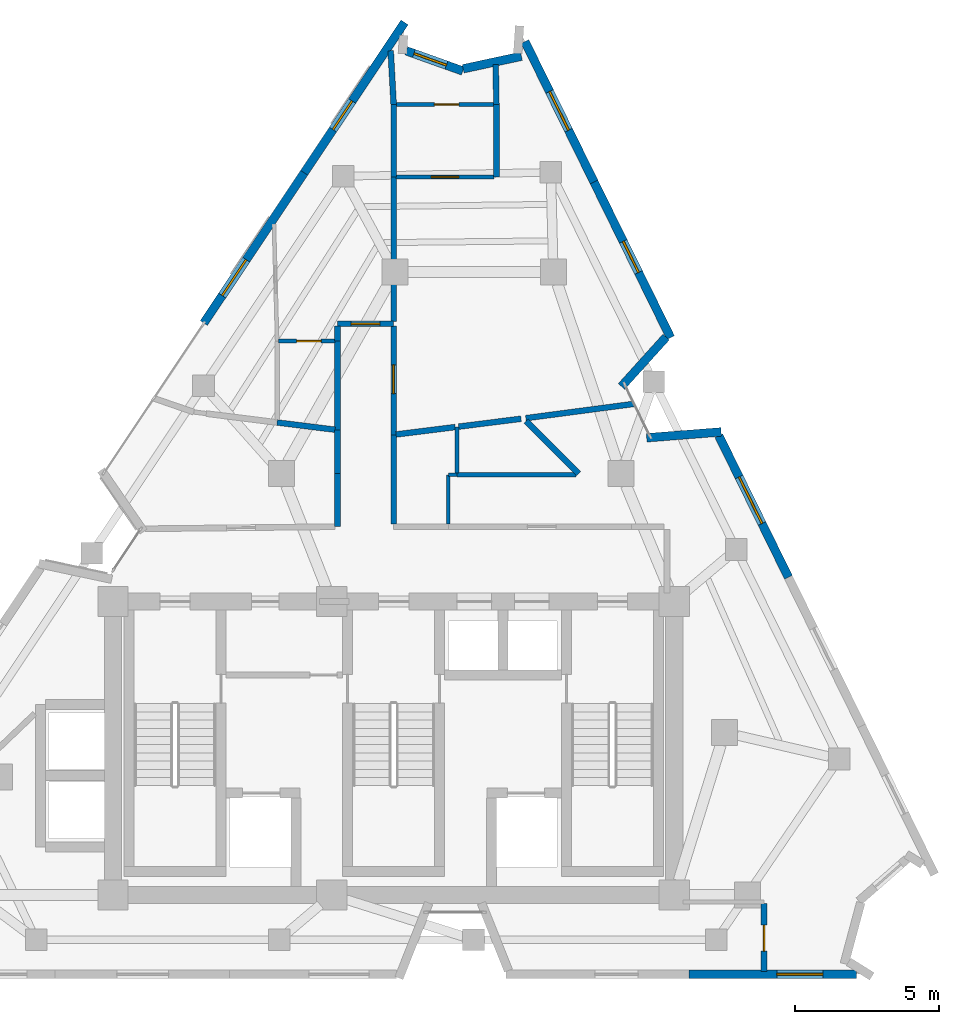
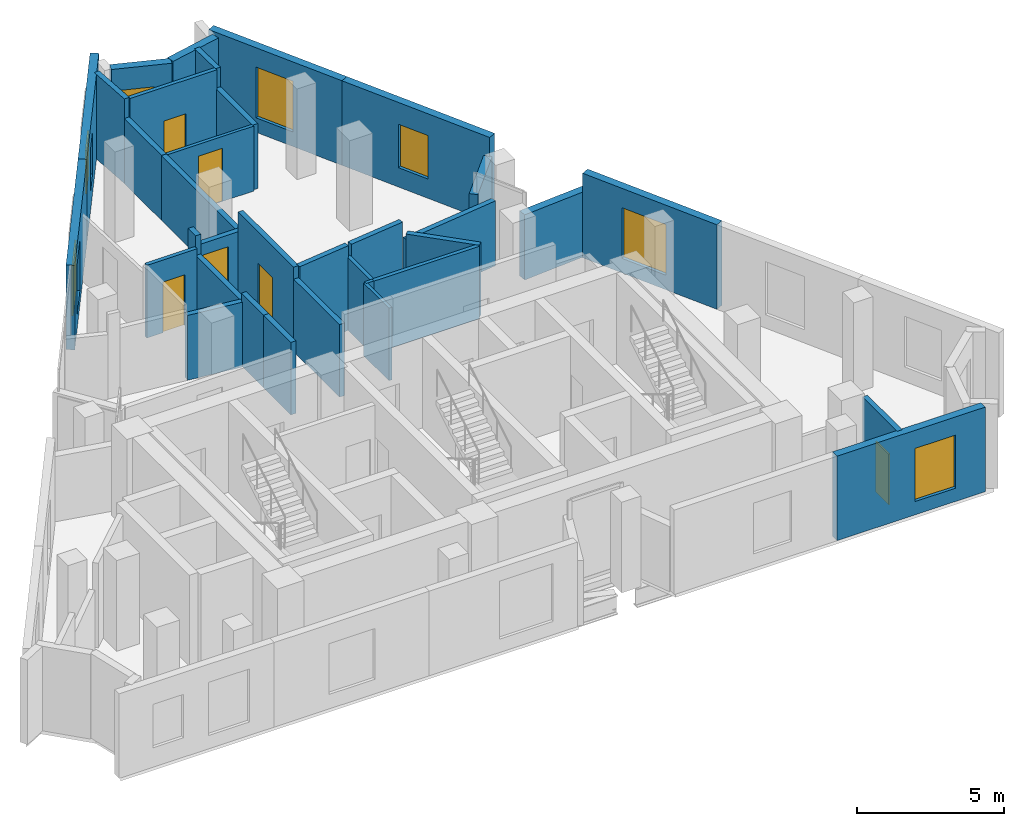
# One storey, part 6 of 8: 35 walls, 7 windows, 6 doors, 13 openings.
"""IFC4 building model written with IfcOpenShell, lengths in metres."""

from ifc_helpers import new_model, si_unit, direction, frame, frame_2d, origin, place, context, subcontext, project, spatial, rectangle, extrude, material, layer, layer_set, type_object, element, fill, save


model = new_model("IFC4")

# Units and contexts
model_context = context("Model", 3, precision=1e-05, world=origin(), true_north=direction((0.0, 1.0)))
body_context = subcontext(model_context, "Body", "Model", "MODEL_VIEW")
ifc_project = project(units=[si_unit("LENGTHUNIT", "METRE"), si_unit("AREAUNIT", "SQUARE_METRE"), si_unit("VOLUMEUNIT", "CUBIC_METRE"), si_unit("PLANEANGLEUNIT", "RADIAN"), si_unit("MASSUNIT", "GRAM", prefix="KILO")], contexts=[model_context])

# Site, building, storey
site_placement = place(None, origin())
site = spatial("IfcSite", under=ifc_project, at=site_placement, CompositionType="ELEMENT")
building_placement = place(site_placement, origin())
building = spatial("IfcBuilding", under=site, at=building_placement, Name="Almagre Mirador Tower", CompositionType="ELEMENT")
storey_placement = place(building_placement, frame((0.0, 0.0, 282.0)))
storey = spatial("IfcBuildingStorey", under=building, at=storey_placement, Name="L73", CompositionType="ELEMENT", Elevation=282.0)

# Wall, opening, window
ifc_material_1 = material(Name="Precast concrete C50/60", Category="concrete")
ifc_layer_1 = layer(ifc_material_1, 0.300048828125)
ifc_layer_set_1 = layer_set([ifc_layer_1], Name="Precast concrete C50/60")
wall_type_1 = type_object("IfcWallType", Name="WAL-EXT-300", PredefinedType="SOLIDWALL", material=ifc_layer_set_1)
wall_1_placement = place(storey_placement, frame((30.70361328125, 24.425048828125, 0.0), z_axis=(0.0, 0.0, 1.0), x_axis=(0.555274120739, 0.831667391953, 0.0)))
wall_1 = element("IfcWall", 1, at=wall_1_placement, inside=storey, type_object=wall_type_1, Name="L73 expressed almagre precast frame wall 03", PredefinedType="SOLIDWALL", context=body_context, shape_type="SweptSolid", body=[
    extrude(rectangle(XDim=6.28125, YDim=0.300048828125, at=frame_2d((3.140625, 0.0))), origin(), (0.0, 0.0, 1.0), 3.5),
])
opening_1_placement = place(wall_1_placement, frame((1.14990234375, 0.0, 0.60009765625)))
opening_1 = element("IfcOpeningElement", 2, at=opening_1_placement, cuts=wall_1, Name="Opening WN-03", PredefinedType="OPENING", context=body_context, shape_type="SweptSolid", body=[
    extrude(rectangle(XDim=1.5, YDim=2.10009765625, at=frame_2d((0.75, 1.050048828125))), frame((0.0, 0.159902, 0.0), z_axis=(0.0, -1.0, 0.0), x_axis=(1.0, 0.0, 0.0)), (0.0, 0.0, 1.0), 0.320049),
])
ifc_material_2 = material(Name="Dark solar-control laminated hurricane glass", Category="glass")
window_type_1 = type_object("IfcWindowType", Name="WIN-1500X2100", PartitioningType="DOUBLE_PANEL_VERTICAL", PredefinedType="WINDOW", material=ifc_material_2)
window_1_placement = place(opening_1_placement, origin())
window_1 = element("IfcWindow", 3, at=window_1_placement, inside=storey, type_object=window_type_1, Name="L73 recessed hurricane window L73-UH-KT", OverallHeight=2.10009765625, OverallWidth=1.5, PartitioningType="SINGLE_PANEL", PredefinedType="WINDOW", context=body_context, shape_type="SweptSolid", body=[
    extrude(rectangle(XDim=1.5, YDim=2.10009765625, at=frame_2d((0.75, 1.050048828125))), frame((0.0, 0.030029296875, 0.0), z_axis=(0.0, -1.0, 0.0), x_axis=(1.0, 0.0, 0.0)), (0.0, 0.0, 1.0), 0.06005859375),
])
fill(opening_1, window_1)

wall_2_placement = place(storey_placement, frame((34.19140625, 29.64892578125, 0.0), z_axis=(0.0, 0.0, 1.0), x_axis=(0.555229286711, 0.831697324259, 0.0)))
wall_2 = element("IfcWall", 4, at=wall_2_placement, inside=storey, type_object=wall_type_1, Name="L73 expressed almagre precast frame wall 04", PredefinedType="SOLIDWALL", context=body_context, shape_type="SweptSolid", body=[
    extrude(rectangle(XDim=6.28125, YDim=0.300048828125, at=frame_2d((3.140625, 0.0))), origin(), (0.0, 0.0, 1.0), 3.5),
])
opening_2_placement = place(wall_2_placement, frame((1.800048828125, 0.0, 0.800048828125)))
opening_2 = element("IfcOpeningElement", 5, at=opening_2_placement, cuts=wall_2, Name="Opening WN-04", PredefinedType="OPENING", context=body_context, shape_type="SweptSolid", body=[
    extrude(rectangle(XDim=1.199951171875, YDim=1.800048828125, at=frame_2d((0.60009765625, 0.89990234375))), frame((0.0, 0.159902, 0.0), z_axis=(0.0, -1.0, 0.0), x_axis=(1.0, 0.0, 0.0)), (0.0, 0.0, 1.0), 0.320049),
])
ifc_material_3 = material(Name="Dark solar-control laminated hurricane glass", Category="glass")
window_type_2 = type_object("IfcWindowType", Name="WIN-1200X1800", PartitioningType="SINGLE_PANEL", PredefinedType="WINDOW", material=ifc_material_3)
window_2_placement = place(opening_2_placement, origin())
window_2 = element("IfcWindow", 6, at=window_2_placement, inside=storey, type_object=window_type_2, Name="L73 recessed hurricane window L73-UH-ST", OverallHeight=1.800048828125, OverallWidth=1.199951171875, PartitioningType="SINGLE_PANEL", PredefinedType="WINDOW", context=body_context, shape_type="SweptSolid", body=[
    extrude(rectangle(XDim=1.199951171875, YDim=1.800048828125, at=frame_2d((0.60009765625, 0.89990234375))), frame((0.0, 0.030029296875, 0.0), z_axis=(0.0, -1.0, 0.0), x_axis=(1.0, 0.0, 0.0)), (0.0, 0.0, 1.0), 0.06005859375),
])
fill(opening_2, window_2)

wall_3_placement = place(storey_placement, frame((37.73681640625, 33.88720703125, 0.0), z_axis=(0.0, 0.0, 1.0), x_axis=(0.941665242227, -0.336550994028, 0.0)))
wall_3 = element("IfcWall", 7, at=wall_3_placement, inside=storey, type_object=wall_type_1, Name="L73 expressed almagre precast frame wall 06", PredefinedType="SOLIDWALL", context=body_context, shape_type="SweptSolid", body=[
    extrude(rectangle(XDim=2.08984375, YDim=0.300048828125, at=frame_2d((1.044921875, 0.0))), origin(), (0.0, 0.0, 1.0), 3.5),
])
opening_3_placement = place(wall_3_placement, frame((0.282958984375, 0.0, 0.800048828125)))
opening_3 = element("IfcOpeningElement", 8, at=opening_3_placement, cuts=wall_3, Name="Opening WN-04", PredefinedType="OPENING", context=body_context, shape_type="SweptSolid", body=[
    extrude(rectangle(XDim=1.199951171875, YDim=1.800048828125, at=frame_2d((0.60009765625, 0.89990234375))), frame((0.0, 0.159902, 0.0), z_axis=(0.0, -1.0, 0.0), x_axis=(1.0, 0.0, 0.0)), (0.0, 0.0, 1.0), 0.320049),
])
window_3_placement = place(opening_3_placement, origin())
window_3 = element("IfcWindow", 9, at=window_3_placement, inside=storey, type_object=window_type_2, Name="L73 recessed hurricane window L73-UK-BT", OverallHeight=1.800048828125, OverallWidth=1.199951171875, PartitioningType="SINGLE_PANEL", PredefinedType="WINDOW", context=body_context, shape_type="SweptSolid", body=[
    extrude(rectangle(XDim=1.199951171875, YDim=1.800048828125, at=frame_2d((0.60009765625, 0.89990234375))), frame((0.0, 0.030029296875, 0.0), z_axis=(0.0, -1.0, 0.0), x_axis=(1.0, 0.0, 0.0)), (0.0, 0.0, 1.0), 0.06005859375),
])
fill(opening_3, window_3)

# Wall
wall_4_placement = place(storey_placement, frame((39.714599609375, 33.261474609375, 0.0), z_axis=(0.0, 0.0, 1.0), x_axis=(0.977601927603, 0.210462517201, 0.0)))
element("IfcWall", 10, at=wall_4_placement, inside=storey, type_object=wall_type_1, Name="L73 expressed almagre precast frame wall 07", PredefinedType="SOLIDWALL", context=body_context, shape_type="SweptSolid", body=[
    extrude(rectangle(XDim=2.07177734375, YDim=0.300048828125, at=frame_2d((1.035888671875, 0.0))), origin(), (0.0, 0.0, 1.0), 3.5),
])

# Wall, opening, window
wall_5_placement = place(storey_placement, frame((41.863525390625, 34.207275390625, 0.0), z_axis=(0.0, 0.0, 1.0), x_axis=(0.441278173843, -0.89737036573, 0.0)))
wall_5 = element("IfcWall", 11, at=wall_5_placement, inside=storey, type_object=wall_type_1, Name="L73 expressed almagre precast frame wall 09", PredefinedType="SOLIDWALL", context=body_context, shape_type="SweptSolid", body=[
    extrude(rectangle(XDim=5.4384765625, YDim=0.300048828125, at=frame_2d((2.71923828125, 0.0))), origin(), (0.0, 0.0, 1.0), 3.5),
])
opening_4_placement = place(wall_5_placement, frame((1.93505859375, 0.0, 0.60009765625)))
opening_4 = element("IfcOpeningElement", 12, at=opening_4_placement, cuts=wall_5, Name="Opening WN-03", PredefinedType="OPENING", context=body_context, shape_type="SweptSolid", body=[
    extrude(rectangle(XDim=1.5, YDim=2.10009765625, at=frame_2d((0.75, 1.050048828125))), frame((0.0, 0.159902, 0.0), z_axis=(0.0, -1.0, 0.0), x_axis=(1.0, 0.0, 0.0)), (0.0, 0.0, 1.0), 0.320049),
])
window_4_placement = place(opening_4_placement, origin())
window_4 = element("IfcWindow", 13, at=window_4_placement, inside=storey, type_object=window_type_1, Name="L73 recessed hurricane window L73-RST-J", OverallHeight=2.10009765625, OverallWidth=1.5, PartitioningType="SINGLE_PANEL", PredefinedType="WINDOW", context=body_context, shape_type="SweptSolid", body=[
    extrude(rectangle(XDim=1.5, YDim=2.10009765625, at=frame_2d((0.75, 1.050048828125))), frame((0.0, 0.030029296875, 0.0), z_axis=(0.0, -1.0, 0.0), x_axis=(1.0, 0.0, 0.0)), (0.0, 0.0, 1.0), 0.06005859375),
])
fill(opening_4, window_4)

wall_6_placement = place(storey_placement, frame((44.263427734375, 29.326904296875, 0.0), z_axis=(0.0, 0.0, 1.0), x_axis=(0.441323397794, -0.897348125623, 0.0)))
wall_6 = element("IfcWall", 14, at=wall_6_placement, inside=storey, type_object=wall_type_1, Name="L73 expressed almagre precast frame wall 10", PredefinedType="SOLIDWALL", context=body_context, shape_type="SweptSolid", body=[
    extrude(rectangle(XDim=6.0283203125, YDim=0.300048828125, at=frame_2d((3.01416015625, 0.0))), origin(), (0.0, 0.0, 1.0), 3.5),
])
opening_5_placement = place(wall_6_placement, frame((2.300048828125, 0.0, 0.800048828125)))
opening_5 = element("IfcOpeningElement", 15, at=opening_5_placement, cuts=wall_6, Name="Opening WN-04", PredefinedType="OPENING", context=body_context, shape_type="SweptSolid", body=[
    extrude(rectangle(XDim=1.199951171875, YDim=1.800048828125, at=frame_2d((0.60009765625, 0.89990234375))), frame((0.0, 0.159902, 0.0), z_axis=(0.0, -1.0, 0.0), x_axis=(1.0, 0.0, 0.0)), (0.0, 0.0, 1.0), 0.320049),
])
window_5_placement = place(opening_5_placement, origin())
window_5 = element("IfcWindow", 16, at=window_5_placement, inside=storey, type_object=window_type_2, Name="L73 recessed hurricane window L73-RST-J", OverallHeight=1.800048828125, OverallWidth=1.199951171875, PartitioningType="SINGLE_PANEL", PredefinedType="WINDOW", context=body_context, shape_type="SweptSolid", body=[
    extrude(rectangle(XDim=1.199951171875, YDim=1.800048828125, at=frame_2d((0.60009765625, 0.89990234375))), frame((0.0, 0.030029296875, 0.0), z_axis=(0.0, -1.0, 0.0), x_axis=(1.0, 0.0, 0.0)), (0.0, 0.0, 1.0), 0.06005859375),
])
fill(opening_5, window_5)

# Walls
wall_7_placement = place(storey_placement, frame((46.76806640625, 23.939208984375, 0.0), z_axis=(0.0, 0.0, 1.0), x_axis=(-0.670764114694, -0.741670750697, 0.0)))
element("IfcWall", 17, at=wall_7_placement, inside=storey, type_object=wall_type_1, Name="L73 expressed almagre precast frame wall 11", PredefinedType="SOLIDWALL", context=body_context, shape_type="SweptSolid", body=[
    extrude(rectangle(XDim=2.313720703125, YDim=0.300048828125, at=frame_2d((1.15673828125, 0.0))), origin(), (0.0, 0.0, 1.0), 2.696044921875),
])
wall_8_placement = place(storey_placement, frame((46.09228515625, 20.43994140625, 0.0), z_axis=(0.0, 0.0, 1.0), x_axis=(0.996900868101, 0.078668031502, 0.0)))
element("IfcWall", 18, at=wall_8_placement, inside=storey, type_object=wall_type_1, Name="L73 expressed almagre precast frame wall 12", PredefinedType="SOLIDWALL", context=body_context, shape_type="SweptSolid", body=[
    extrude(rectangle(XDim=2.594482421875, YDim=0.300048828125, at=frame_2d((1.29736328125, 0.0))), origin(), (0.0, 0.0, 1.0), 2.696044921875),
])

# Wall, opening, window
wall_9_placement = place(storey_placement, frame((48.5986328125, 20.51171875, 0.0), z_axis=(0.0, 0.0, 1.0), x_axis=(0.441270260199, -0.897374257188, 0.0)))
wall_9 = element("IfcWall", 19, at=wall_9_placement, inside=storey, type_object=wall_type_1, Name="L73 expressed almagre precast frame wall 13", PredefinedType="SOLIDWALL", context=body_context, shape_type="SweptSolid", body=[
    extrude(rectangle(XDim=5.480712890625, YDim=0.300048828125, at=frame_2d((2.740234375, 0.0))), origin(), (0.0, 0.0, 1.0), 3.5),
])
opening_6_placement = place(wall_9_placement, frame((1.60009765625, 0.0, 0.60009765625)))
opening_6 = element("IfcOpeningElement", 20, at=opening_6_placement, cuts=wall_9, Name="Opening WN-01", PredefinedType="OPENING", context=body_context, shape_type="SweptSolid", body=[
    extrude(rectangle(XDim=1.800048828125, YDim=2.10009765625, at=frame_2d((0.89990234375, 1.050048828125))), frame((0.0, 0.159902, 0.0), z_axis=(0.0, -1.0, 0.0), x_axis=(1.0, 0.0, 0.0)), (0.0, 0.0, 1.0), 0.320049),
])
ifc_material_4 = material(Name="Dark solar-control laminated hurricane glass", Category="glass")
window_type_3 = type_object("IfcWindowType", Name="WIN-1800X2100", PartitioningType="DOUBLE_PANEL_VERTICAL", PredefinedType="WINDOW", material=ifc_material_4)
window_6_placement = place(opening_6_placement, origin())
window_6 = element("IfcWindow", 21, at=window_6_placement, inside=storey, type_object=window_type_3, Name="L73 recessed hurricane window L73-UG-KT", OverallHeight=2.10009765625, OverallWidth=1.800048828125, PartitioningType="SINGLE_PANEL", PredefinedType="WINDOW", context=body_context, shape_type="SweptSolid", body=[
    extrude(rectangle(XDim=1.800048828125, YDim=2.10009765625, at=frame_2d((0.89990234375, 1.050048828125))), frame((0.0, 0.030029296875, 0.0), z_axis=(0.0, -1.0, 0.0), x_axis=(1.0, 0.0, 0.0)), (0.0, 0.0, 1.0), 0.06005859375),
])
fill(opening_6, window_6)

wall_10_placement = place(storey_placement, frame((53.375, 1.800048828125, 0.0), z_axis=(0.0, 0.0, 1.0), x_axis=(-1.0, 0.0, 0.0)))
wall_10 = element("IfcWall", 22, at=wall_10_placement, inside=storey, type_object=wall_type_1, Name="L73 expressed almagre precast frame wall 20", PredefinedType="SOLIDWALL", context=body_context, shape_type="SweptSolid", body=[
    extrude(rectangle(XDim=5.806884765625, YDim=0.300048828125, at=frame_2d((2.9033203125, 0.0))), origin(), (0.0, 0.0, 1.0), 3.5),
])
opening_7_placement = place(wall_10_placement, frame((1.159912109375, 0.0, 0.550048828125)))
opening_7 = element("IfcOpeningElement", 23, at=opening_7_placement, cuts=wall_10, Name="Opening WN-06", PredefinedType="OPENING", context=body_context, shape_type="SweptSolid", body=[
    extrude(rectangle(XDim=1.60009765625, YDim=2.199951171875, at=frame_2d((0.800048828125, 1.10009765625))), frame((0.0, 0.159902, 0.0), z_axis=(0.0, -1.0, 0.0), x_axis=(1.0, 0.0, 0.0)), (0.0, 0.0, 1.0), 0.320049),
])
ifc_material_5 = material(Name="Dark solar-control laminated hurricane glass", Category="glass")
window_type_4 = type_object("IfcWindowType", Name="WIN-1600X2200", PartitioningType="DOUBLE_PANEL_VERTICAL", PredefinedType="WINDOW", material=ifc_material_5)
window_7_placement = place(opening_7_placement, origin())
window_7 = element("IfcWindow", 24, at=window_7_placement, inside=storey, type_object=window_type_4, Name="L73 recessed hurricane window L73-UC-BT", OverallHeight=2.199951171875, OverallWidth=1.60009765625, PartitioningType="SINGLE_PANEL", PredefinedType="WINDOW", context=body_context, shape_type="SweptSolid", body=[
    extrude(rectangle(XDim=1.60009765625, YDim=2.199951171875, at=frame_2d((0.800048828125, 1.10009765625))), frame((0.0, 0.030029296875, 0.0), z_axis=(0.0, -1.0, 0.0), x_axis=(1.0, 0.0, 0.0)), (0.0, 0.0, 1.0), 0.06005859375),
])
fill(opening_7, window_7)

# Walls
ifc_material_6 = material(Name="Gypsum acoustic stud partition", Category="other")
ifc_layer_2 = layer(ifc_material_6, 0.125)
ifc_layer_set_2 = layer_set([ifc_layer_2], Name="Gypsum acoustic stud partition")
wall_type_2 = type_object("IfcWallType", Name="WAL-PRT-125-UTL", PredefinedType="PARTITIONING", material=ifc_layer_set_2)
wall_11_placement = place(storey_placement, frame((39.5, 19.14990234375, 0.0), z_axis=(0.0, 0.0, 1.0), x_axis=(-1.0, 0.0, 0.0)))
element("IfcWall", 25, at=wall_11_placement, inside=storey, type_object=wall_type_2, Name="L73 interior partition 039", PredefinedType="PARTITIONING", context=body_context, shape_type="SweptSolid", body=[
    extrude(rectangle(XDim=0.300048828125, YDim=0.125, at=frame_2d((0.14990234375, 0.0))), origin(), (0.0, 0.0, 1.0), 3.0029296875),
])
wall_12_placement = place(storey_placement, frame((39.199951171875, 19.14990234375, 0.0), z_axis=(0.0, 0.0, 1.0), x_axis=(0.0, -1.0, 0.0)))
element("IfcWall", 26, at=wall_12_placement, inside=storey, type_object=wall_type_2, Name="L73 interior partition 040", PredefinedType="PARTITIONING", context=body_context, shape_type="SweptSolid", body=[
    extrude(rectangle(XDim=1.71484375, YDim=0.125, at=frame_2d((0.857421875, 0.0))), origin(), (0.0, 0.0, 1.0), 3.0029296875),
])

# Wall, opening, door
wall_13_placement = place(storey_placement, frame((40.784912109375, 29.5, 0.0), z_axis=(0.0, 0.0, 1.0), x_axis=(-1.0, 0.0, 0.0)))
wall_13 = element("IfcWall", 27, at=wall_13_placement, inside=storey, type_object=wall_type_2, Name="L73 interior partition 061", PredefinedType="PARTITIONING", context=body_context, shape_type="SweptSolid", body=[
    extrude(rectangle(XDim=3.39990234375, YDim=0.125, at=frame_2d((1.699951171875, 0.0))), origin(), (0.0, 0.0, 1.0), 2.69091796875),
])
opening_8_placement = place(wall_13_placement, frame((1.22509765625, 0.0, 0.0)))
opening_8 = element("IfcOpeningElement", 28, at=opening_8_placement, cuts=wall_13, Name="Opening UD-01", PredefinedType="OPENING", context=body_context, shape_type="SweptSolid", body=[
    extrude(rectangle(XDim=0.949951171875, YDim=2.199951171875, at=frame_2d((0.47509765625, 1.10009765625))), frame((0.0, 0.0725, 0.0), z_axis=(0.0, -1.0, 0.0), x_axis=(1.0, 0.0, 0.0)), (0.0, 0.0, 1.0), 0.145),
])
ifc_material_7 = material(Name="Solid American walnut timber", Category="wood")
door_type_1 = type_object("IfcDoorType", Name="DOR-UNR-950X2200", OperationType="NOTDEFINED", PredefinedType="DOOR", material=ifc_material_7)
door_1_placement = place(opening_8_placement, origin())
door_1 = element("IfcDoor", 29, at=door_1_placement, inside=storey, type_object=door_type_1, Name="DR-2201 L73 interior door L73-UK-ST to L73-UK-KT", OperationType="SINGLE_SWING_RIGHT", OverallHeight=2.199951171875, OverallWidth=0.949951171875, PredefinedType="DOOR", context=body_context, shape_type="SweptSolid", body=[
    extrude(rectangle(XDim=0.949951171875, YDim=2.199951171875, at=frame_2d((0.47509765625, 1.10009765625))), frame((0.0, 0.02490234375, 0.0), z_axis=(0.0, -1.0, 0.0), x_axis=(1.0, 0.0, 0.0)), (0.0, 0.0, 1.0), 0.050048828125),
])
fill(opening_8, door_1)

# Walls
ifc_material_8 = material(Name="Gypsum acoustic stud partition", Category="other")
ifc_layer_3 = layer(ifc_material_8, 0.14990234375)
ifc_layer_set_3 = layer_set([ifc_layer_3], Name="Gypsum acoustic stud partition")
wall_type_3 = type_object("IfcWallType", Name="WAL-PRT-150-STD", PredefinedType="PARTITIONING", material=ifc_layer_set_3)
wall_14_placement = place(storey_placement, frame((43.635009765625, 19.14990234375, 0.0), z_axis=(0.0, 0.0, 1.0), x_axis=(-1.0, 0.0, 0.0)))
element("IfcWall", 30, at=wall_14_placement, inside=storey, type_object=wall_type_3, Name="L73 interior partition 041", PredefinedType="PARTITIONING", context=body_context, shape_type="SweptSolid", body=[
    extrude(rectangle(XDim=4.135009765625, YDim=0.14990234375, at=frame_2d((2.0673828125, 0.0))), origin(), (0.0, 0.0, 1.0), 3.0029296875),
])
wall_15_placement = place(storey_placement, frame((39.5, 19.2099609375, 0.0), z_axis=(0.0, 0.0, 1.0), x_axis=(0.0, 1.0, 0.0)))
element("IfcWall", 31, at=wall_15_placement, inside=storey, type_object=wall_type_3, Name="L73 interior partition 043", PredefinedType="PARTITIONING", context=body_context, shape_type="SweptSolid", body=[
    extrude(rectangle(XDim=1.610107421875, YDim=0.14990234375, at=frame_2d((0.80517578125, 0.0))), origin(), (0.0, 0.0, 1.0), 3.0029296875),
])

# Wall, opening, door
wall_16_placement = place(storey_placement, frame((33.297607421875, 23.800048828125, 0.0), z_axis=(0.0, 0.0, 1.0), x_axis=(1.0, 0.0, 0.0)))
wall_16 = element("IfcWall", 32, at=wall_16_placement, inside=storey, type_object=wall_type_3, Name="L73 interior partition 053", PredefinedType="PARTITIONING", context=body_context, shape_type="SweptSolid", body=[
    extrude(rectangle(XDim=1.96728515625, YDim=0.14990234375, at=frame_2d((0.983642578125, 0.0))), origin(), (0.0, 0.0, 1.0), 3.010009765625),
])
opening_9_placement = place(wall_16_placement, frame((0.63134765625, 0.0, 0.0)))
opening_9 = element("IfcOpeningElement", 33, at=opening_9_placement, cuts=wall_16, Name="Opening UD-04", PredefinedType="OPENING", context=body_context, shape_type="SweptSolid", body=[
    extrude(rectangle(XDim=0.85009765625, YDim=2.10009765625, at=frame_2d((0.425048828125, 1.050048828125))), frame((0.0, 0.084951, 0.0), z_axis=(0.0, -1.0, 0.0), x_axis=(1.0, 0.0, 0.0)), (0.0, 0.0, 1.0), 0.169902),
])
ifc_material_9 = material(Name="Moisture-resistant oak timber", Category="wood")
door_type_2 = type_object("IfcDoorType", Name="DOR-UNR-850X2100", OperationType="NOTDEFINED", PredefinedType="DOOR", material=ifc_material_9)
door_2_placement = place(opening_9_placement, origin())
door_2 = element("IfcDoor", 34, at=door_2_placement, inside=storey, type_object=door_type_2, Name="DR-2199 L73 interior door L73-UH-ST to L73-UH-BT", OperationType="SINGLE_SWING_RIGHT", OverallHeight=2.10009765625, OverallWidth=0.85009765625, PredefinedType="DOOR", context=body_context, shape_type="SweptSolid", body=[
    extrude(rectangle(XDim=0.85009765625, YDim=2.10009765625, at=frame_2d((0.425048828125, 1.050048828125))), frame((0.0, 0.02490234375, 0.0), z_axis=(0.0, -1.0, 0.0), x_axis=(1.0, 0.0, 0.0)), (0.0, 0.0, 1.0), 0.050048828125),
])
fill(opening_9, door_2)

wall_17_placement = place(storey_placement, frame((40.784912109375, 32.02001953125, 0.0), z_axis=(0.0, 0.0, 1.0), x_axis=(-1.0, 0.0, 0.0)))
wall_17 = element("IfcWall", 35, at=wall_17_placement, inside=storey, type_object=wall_type_3, Name="L73 interior partition 062", PredefinedType="PARTITIONING", context=body_context, shape_type="SweptSolid", body=[
    extrude(rectangle(XDim=3.39990234375, YDim=0.14990234375, at=frame_2d((1.699951171875, 0.0))), origin(), (0.0, 0.0, 1.0), 3.5),
])
opening_10_placement = place(wall_17_placement, frame((1.216796875, 0.0, 0.0)))
opening_10 = element("IfcOpeningElement", 36, at=opening_10_placement, cuts=wall_17, Name="Opening UD-04", PredefinedType="OPENING", context=body_context, shape_type="SweptSolid", body=[
    extrude(rectangle(XDim=0.85009765625, YDim=2.10009765625, at=frame_2d((0.425048828125, 1.050048828125))), frame((0.0, 0.084951, 0.0), z_axis=(0.0, -1.0, 0.0), x_axis=(1.0, 0.0, 0.0)), (0.0, 0.0, 1.0), 0.169902),
])
door_3_placement = place(opening_10_placement, origin())
door_3 = element("IfcDoor", 37, at=door_3_placement, inside=storey, type_object=door_type_2, Name="DR-2202 L73 interior door L73-UK-KT to L73-UK-BT", OperationType="SINGLE_SWING_LEFT", OverallHeight=2.10009765625, OverallWidth=0.85009765625, PredefinedType="DOOR", context=body_context, shape_type="SweptSolid", body=[
    extrude(rectangle(XDim=0.85009765625, YDim=2.10009765625, at=frame_2d((0.425048828125, 1.050048828125))), frame((0.0, 0.02490234375, 0.0), z_axis=(0.0, -1.0, 0.0), x_axis=(1.0, 0.0, 0.0)), (0.0, 0.0, 1.0), 0.050048828125),
])
fill(opening_10, door_3)

# Walls
ifc_material_10 = material(Name="Gypsum acoustic stud partition", Category="other")
ifc_layer_4 = layer(ifc_material_10, 0.199951171875)
ifc_layer_set_4 = layer_set([ifc_layer_4], Name="Gypsum acoustic stud partition")
wall_type_4 = type_object("IfcWallType", Name="WAL-PRT-200-EI60", PredefinedType="PARTITIONING", material=ifc_layer_set_4)
wall_18_placement = place(storey_placement, frame((35.35009765625, 19.199951171875, 0.0), z_axis=(0.0, 0.0, 1.0), x_axis=(0.0, -1.0, 0.0)))
element("IfcWall", 38, at=wall_18_placement, inside=storey, type_object=wall_type_4, Name="L73 interior partition 002", PredefinedType="PARTITIONING", context=body_context, shape_type="SweptSolid", body=[
    extrude(rectangle(XDim=1.849853515625, YDim=0.199951171875, at=frame_2d((0.9248046875, 0.0))), origin(), (0.0, 0.0, 1.0), 3.0029296875),
])
wall_19_placement = place(storey_placement, frame((35.35009765625, 20.7099609375, 0.0), z_axis=(0.0, 0.0, 1.0), x_axis=(0.0, -1.0, 0.0)))
element("IfcWall", 39, at=wall_19_placement, inside=storey, type_object=wall_type_4, Name="L73 interior partition 004", PredefinedType="PARTITIONING", context=body_context, shape_type="SweptSolid", body=[
    extrude(rectangle(XDim=1.510009765625, YDim=0.199951171875, at=frame_2d((0.7548828125, 0.0))), origin(), (0.0, 0.0, 1.0), 3.0029296875),
])
wall_20_placement = place(storey_placement, frame((37.300048828125, 17.43505859375, 0.0), z_axis=(0.0, 0.0, 1.0), x_axis=(0.0, 1.0, 0.0)))
element("IfcWall", 40, at=wall_20_placement, inside=storey, type_object=wall_type_4, Name="L73 interior partition 007", PredefinedType="PARTITIONING", context=body_context, shape_type="SweptSolid", body=[
    extrude(rectangle(XDim=3.10498046875, YDim=0.199951171875, at=frame_2d((1.552490234375, 0.0))), origin(), (0.0, 0.0, 1.0), 3.0029296875),
])

# Wall, opening, door
wall_21_placement = place(storey_placement, frame((37.300048828125, 24.39990234375, 0.0), z_axis=(0.0, 0.0, 1.0), x_axis=(-1.0, 0.0, 0.0)))
wall_21 = element("IfcWall", 41, at=wall_21_placement, inside=storey, type_object=wall_type_4, Name="L73 interior partition 010", PredefinedType="PARTITIONING", context=body_context, shape_type="SweptSolid", body=[
    extrude(rectangle(XDim=1.949951171875, YDim=0.199951171875, at=frame_2d((0.97509765625, 0.0))), origin(), (0.0, 0.0, 1.0), 2.68505859375),
])
opening_11_placement = place(wall_21_placement, frame((0.47509765625, 0.0, 0.0)))
opening_11 = element("IfcOpeningElement", 42, at=opening_11_placement, cuts=wall_21, Name="Opening ID-01", PredefinedType="OPENING", context=body_context, shape_type="SweptSolid", body=[
    extrude(rectangle(XDim=1.0, YDim=2.199951171875, at=frame_2d((0.5, 1.10009765625))), frame((0.0, 0.110098, 0.0), z_axis=(0.0, -1.0, 0.0), x_axis=(1.0, 0.0, 0.0)), (0.0, 0.0, 1.0), 0.219951),
])
ifc_material_11 = material(Name="Fire-rated walnut timber", Category="wood")
door_type_3 = type_object("IfcDoorType", Name="DOR-FD60-1000X2200", OperationType="NOTDEFINED", PredefinedType="DOOR", material=ifc_material_11)
door_4_placement = place(opening_11_placement, origin())
door_4 = element("IfcDoor", 43, at=door_4_placement, inside=storey, type_object=door_type_3, Name="DR-2197 L73 interior door L73-RCOR to L73-UH-ST", OperationType="SINGLE_SWING_RIGHT", OverallHeight=2.199951171875, OverallWidth=1.0, PredefinedType="DOOR", context=body_context, shape_type="SweptSolid", body=[
    extrude(rectangle(XDim=1.0, YDim=2.199951171875, at=frame_2d((0.5, 1.10009765625))), frame((0.0, 0.02490234375, 0.0), z_axis=(0.0, -1.0, 0.0), x_axis=(1.0, 0.0, 0.0)), (0.0, 0.0, 1.0), 0.050048828125),
])
fill(opening_11, door_4)

# Walls
wall_22_placement = place(storey_placement, frame((35.35009765625, 24.31494140625, 0.0), z_axis=(0.0, 0.0, 1.0), x_axis=(0.0, -1.0, 0.0)))
element("IfcWall", 44, at=wall_22_placement, inside=storey, type_object=wall_type_4, Name="L73 interior partition 011", PredefinedType="PARTITIONING", context=body_context, shape_type="SweptSolid", body=[
    extrude(rectangle(XDim=0.514892578125, YDim=0.199951171875, at=frame_2d((0.25732421875, 0.0))), origin(), (0.0, 0.0, 1.0), 3.5),
])
wall_23_placement = place(storey_placement, frame((35.35009765625, 23.800048828125, 0.0), z_axis=(0.0, 0.0, 1.0), x_axis=(0.0, -1.0, 0.0)))
element("IfcWall", 45, at=wall_23_placement, inside=storey, type_object=wall_type_4, Name="L73 interior partition 012", PredefinedType="PARTITIONING", context=body_context, shape_type="SweptSolid", body=[
    extrude(rectangle(XDim=3.090087890625, YDim=0.199951171875, at=frame_2d((1.544921875, 0.0))), origin(), (0.0, 0.0, 1.0), 2.68505859375),
])

# Wall, opening, door
wall_24_placement = place(storey_placement, frame((37.300048828125, 24.31494140625, 0.0), z_axis=(0.0, 0.0, 1.0), x_axis=(0.0, -1.0, 0.0)))
wall_24 = element("IfcWall", 46, at=wall_24_placement, inside=storey, type_object=wall_type_4, Name="L73 interior partition 013", PredefinedType="PARTITIONING", context=body_context, shape_type="SweptSolid", body=[
    extrude(rectangle(XDim=3.77490234375, YDim=0.199951171875, at=frame_2d((1.887451171875, 0.0))), origin(), (0.0, 0.0, 1.0), 3.5),
])
opening_12_placement = place(wall_24_placement, frame((1.344970703125, 0.0, 0.0)))
opening_12 = element("IfcOpeningElement", 47, at=opening_12_placement, cuts=wall_24, Name="Opening ID-01", PredefinedType="OPENING", context=body_context, shape_type="SweptSolid", body=[
    extrude(rectangle(XDim=1.0, YDim=2.199951171875, at=frame_2d((0.5, 1.10009765625))), frame((0.0, 0.110098, 0.0), z_axis=(0.0, -1.0, 0.0), x_axis=(1.0, 0.0, 0.0)), (0.0, 0.0, 1.0), 0.219951),
])
door_5_placement = place(opening_12_placement, origin())
door_5 = element("IfcDoor", 48, at=door_5_placement, inside=storey, type_object=door_type_3, Name="DR-2200 L73 interior door L73-RCOR to L73-UK-ST", OperationType="SINGLE_SWING_LEFT", OverallHeight=2.199951171875, OverallWidth=1.0, PredefinedType="DOOR", context=body_context, shape_type="SweptSolid", body=[
    extrude(rectangle(XDim=1.0, YDim=2.199951171875, at=frame_2d((0.5, 1.10009765625))), frame((0.0, 0.02490234375, 0.0), z_axis=(0.0, -1.0, 0.0), x_axis=(1.0, 0.0, 0.0)), (0.0, 0.0, 1.0), 0.050048828125),
])
fill(opening_12, door_5)

wall_25_placement = place(storey_placement, frame((50.169921875, 1.89990234375, 0.0), z_axis=(0.0, 0.0, 1.0), x_axis=(0.0, 1.0, 0.0)))
wall_25 = element("IfcWall", 49, at=wall_25_placement, inside=storey, type_object=wall_type_4, Name="L73 interior partition 025", PredefinedType="PARTITIONING", context=body_context, shape_type="SweptSolid", body=[
    extrude(rectangle(XDim=2.362548828125, YDim=0.199951171875, at=frame_2d((1.18115234375, 0.0))), origin(), (0.0, 0.0, 1.0), 3.5),
])
opening_13_placement = place(wall_25_placement, frame((0.705078125, 0.0, 0.0)))
opening_13 = element("IfcOpeningElement", 50, at=opening_13_placement, cuts=wall_25, Name="Opening ID-03", PredefinedType="OPENING", context=body_context, shape_type="SweptSolid", body=[
    extrude(rectangle(XDim=0.89990234375, YDim=2.10009765625, at=frame_2d((0.449951171875, 1.050048828125))), frame((0.0, 0.110098, 0.0), z_axis=(0.0, -1.0, 0.0), x_axis=(1.0, 0.0, 0.0)), (0.0, 0.0, 1.0), 0.219951),
])
ifc_material_12 = material(Name="Fire-rated hollow steel", Category="steel")
door_type_4 = type_object("IfcDoorType", Name="DOR-FD60-900X2100", OperationType="NOTDEFINED", PredefinedType="DOOR", material=ifc_material_12)
door_6_placement = place(opening_13_placement, origin())
door_6 = element("IfcDoor", 51, at=door_6_placement, inside=storey, type_object=door_type_4, Name="DR-2203 L73 interior door L73-UB-KT to L73-UF-ST", OperationType="SINGLE_SWING_RIGHT", OverallHeight=2.10009765625, OverallWidth=0.89990234375, PredefinedType="DOOR", context=body_context, shape_type="SweptSolid", body=[
    extrude(rectangle(XDim=0.89990234375, YDim=2.10009765625, at=frame_2d((0.449951171875, 1.050048828125))), frame((0.0, 0.02490234375, 0.0), z_axis=(0.0, -1.0, 0.0), x_axis=(1.0, 0.0, 0.0)), (0.0, 0.0, 1.0), 0.050048828125),
])
fill(opening_13, door_6)

# Walls
wall_26_placement = place(storey_placement, frame((35.265625, 20.720458984375, 0.0), z_axis=(0.0, 0.0, 1.0), x_axis=(-0.992425117341, 0.122851074361, 0.0)))
element("IfcWall", 52, at=wall_26_placement, inside=storey, type_object=wall_type_4, Name="L73 interior partition 038", PredefinedType="PARTITIONING", context=body_context, shape_type="SweptSolid", body=[
    extrude(rectangle(XDim=2.031005859375, YDim=0.199951171875, at=frame_2d((1.015625, 0.0))), origin(), (0.0, 0.0, 1.0), 2.68505859375),
])
wall_27_placement = place(storey_placement, frame((39.4404296875, 20.8125, 0.0), z_axis=(0.0, 0.0, 1.0), x_axis=(-0.992205225353, -0.124614568901, 0.0)))
element("IfcWall", 53, at=wall_27_placement, inside=storey, type_object=wall_type_4, Name="L73 interior partition 044", PredefinedType="PARTITIONING", context=body_context, shape_type="SweptSolid", body=[
    extrude(rectangle(XDim=2.07275390625, YDim=0.199951171875, at=frame_2d((1.036376953125, 0.0))), origin(), (0.0, 0.0, 1.0), 3.5),
])
wall_28_placement = place(storey_placement, frame((43.7275390625, 19.1923828125, 0.0), z_axis=(0.0, 0.0, 1.0), x_axis=(-0.707106781187, 0.707106781187, 0.0)))
element("IfcWall", 54, at=wall_28_placement, inside=storey, type_object=wall_type_4, Name="L73 interior partition 045", PredefinedType="PARTITIONING", context=body_context, shape_type="SweptSolid", body=[
    extrude(rectangle(XDim=2.57666015625, YDim=0.199951171875, at=frame_2d((1.288330078125, 0.0))), origin(), (0.0, 0.0, 1.0), 3.0029296875),
])
wall_29_placement = place(storey_placement, frame((45.657958984375, 21.617919921875, 0.0), z_axis=(0.0, 0.0, 1.0), x_axis=(-0.991399485906, -0.1308703914, 0.0)))
element("IfcWall", 55, at=wall_29_placement, inside=storey, type_object=wall_type_4, Name="L73 interior partition 051", PredefinedType="PARTITIONING", context=body_context, shape_type="SweptSolid", body=[
    extrude(rectangle(XDim=3.79638671875, YDim=0.199951171875, at=frame_2d((1.898193359375, 0.0))), origin(), (0.0, 0.0, 1.0), 2.68505859375),
])
wall_30_placement = place(storey_placement, frame((37.300048828125, 24.485107421875, 0.0), z_axis=(0.0, 0.0, 1.0), x_axis=(0.0, 1.0, 0.0)))
element("IfcWall", 56, at=wall_30_placement, inside=storey, type_object=wall_type_4, Name="L73 interior partition 054", PredefinedType="PARTITIONING", context=body_context, shape_type="SweptSolid", body=[
    extrude(rectangle(XDim=5.014892578125, YDim=0.199951171875, at=frame_2d((2.50732421875, 0.0))), origin(), (0.0, 0.0, 1.0), 2.68505859375),
])
wall_31_placement = place(storey_placement, frame((37.300048828125, 29.5, 0.0), z_axis=(0.0, 0.0, 1.0), x_axis=(0.0, 1.0, 0.0)))
element("IfcWall", 57, at=wall_31_placement, inside=storey, type_object=wall_type_4, Name="L73 interior partition 055", PredefinedType="PARTITIONING", context=body_context, shape_type="SweptSolid", body=[
    extrude(rectangle(XDim=2.52001953125, YDim=0.199951171875, at=frame_2d((1.260009765625, 0.0))), origin(), (0.0, 0.0, 1.0), 2.69091796875),
])
wall_32_placement = place(storey_placement, frame((37.300048828125, 32.02001953125, 0.0), z_axis=(0.0, 0.0, 1.0), x_axis=(-0.055043791408, 0.998483941297, 0.0)))
element("IfcWall", 58, at=wall_32_placement, inside=storey, type_object=wall_type_4, Name="L73 interior partition 056", PredefinedType="PARTITIONING", context=body_context, shape_type="SweptSolid", body=[
    extrude(rectangle(XDim=1.871826171875, YDim=0.199951171875, at=frame_2d((0.93603515625, 0.0))), origin(), (0.0, 0.0, 1.0), 3.5),
])
wall_33_placement = place(storey_placement, frame((40.8701171875, 32.02001953125, 0.0), z_axis=(0.0, 0.0, 1.0), x_axis=(0.0, -1.0, 0.0)))
element("IfcWall", 59, at=wall_33_placement, inside=storey, type_object=wall_type_4, Name="L73 interior partition 059", PredefinedType="PARTITIONING", context=body_context, shape_type="SweptSolid", body=[
    extrude(rectangle(XDim=2.52001953125, YDim=0.199951171875, at=frame_2d((1.260009765625, 0.0))), origin(), (0.0, 0.0, 1.0), 2.69091796875),
])
wall_34_placement = place(storey_placement, frame((40.844970703125, 33.406005859375, 0.0), z_axis=(0.0, 0.0, 1.0), x_axis=(0.018140400086, -0.999835449404, 0.0)))
element("IfcWall", 60, at=wall_34_placement, inside=storey, type_object=wall_type_4, Name="L73 interior partition 060", PredefinedType="PARTITIONING", context=body_context, shape_type="SweptSolid", body=[
    extrude(rectangle(XDim=1.38623046875, YDim=0.199951171875, at=frame_2d((0.693115234375, 0.0))), origin(), (0.0, 0.0, 1.0), 3.5),
])
wall_35_placement = place(storey_placement, frame((41.7255859375, 21.099365234375, 0.0), z_axis=(0.0, 0.0, 1.0), x_axis=(-0.992208901819, -0.124585292677, 0.0)))
element("IfcWall", 61, at=wall_35_placement, inside=storey, type_object=wall_type_4, Name="L73 interior partition 065", PredefinedType="PARTITIONING", context=body_context, shape_type="SweptSolid", body=[
    extrude(rectangle(XDim=2.18310546875, YDim=0.199951171875, at=frame_2d((1.091552734375, 0.0))), origin(), (0.0, 0.0, 1.0), 3.5),
])

save(model, "model.ifc")
